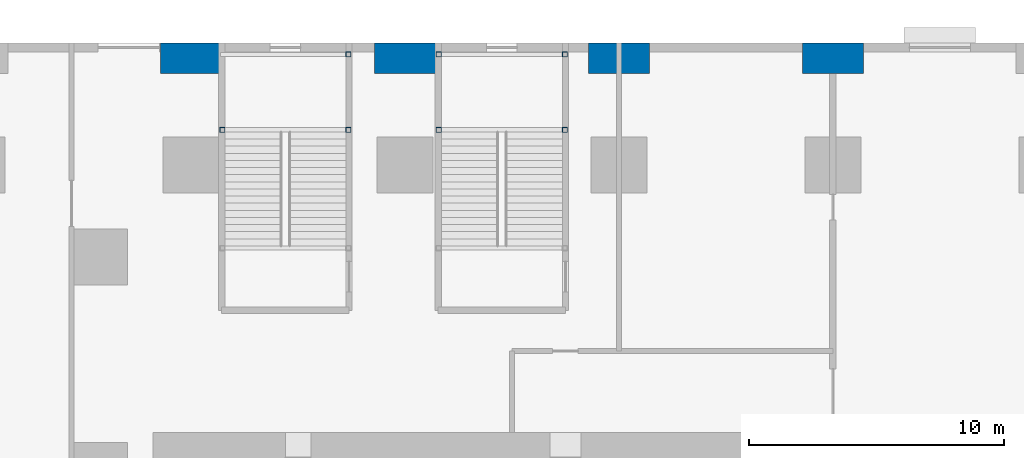
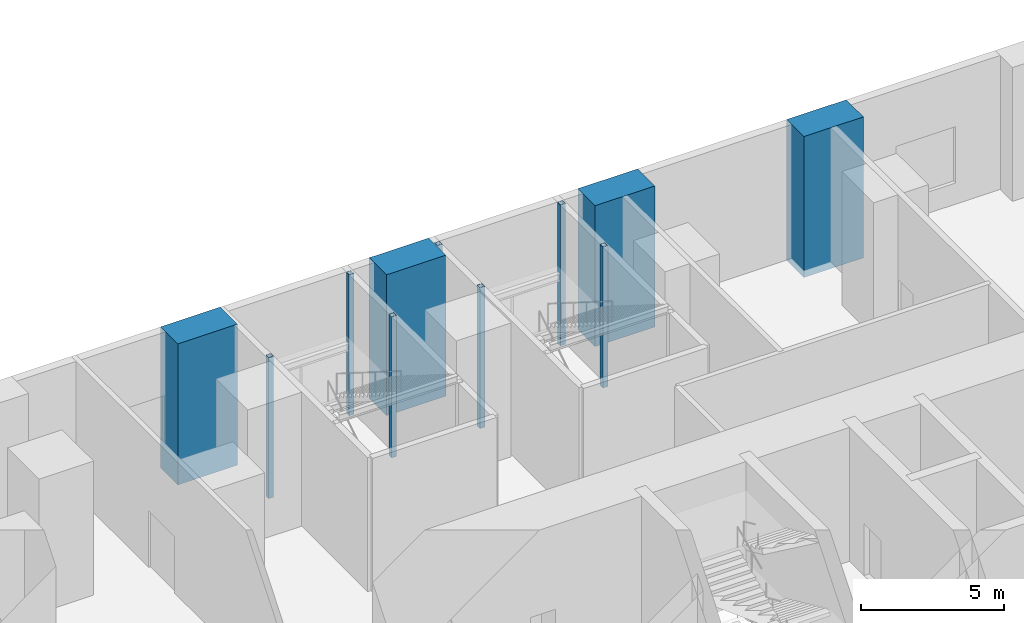
# One storey, part 13 of 26: 11 columns.
"""IFC4 building model written with IfcOpenShell, lengths in metres."""

from ifc_helpers import new_model, si_unit, direction, frame, origin, origin_2d, place, context, subcontext, project, spatial, rectangle, hollow_rectangle, extrude, material, material_profile, profile_set, type_object, element, save


model = new_model("IFC4")

# Units and contexts
model_context = context("Model", 3, precision=1e-05, world=origin(), true_north=direction((0.0, 1.0)))
body_context = subcontext(model_context, "Body", "Model", "MODEL_VIEW")
ifc_project = project(units=[si_unit("LENGTHUNIT", "METRE"), si_unit("AREAUNIT", "SQUARE_METRE"), si_unit("VOLUMEUNIT", "CUBIC_METRE"), si_unit("PLANEANGLEUNIT", "RADIAN"), si_unit("MASSUNIT", "GRAM", prefix="KILO")], contexts=[model_context])

# Site, building, storey
site_placement = place(None, origin())
site = spatial("IfcSite", under=ifc_project, at=site_placement, CompositionType="ELEMENT")
building_placement = place(site_placement, origin())
building = spatial("IfcBuilding", under=site, at=building_placement, Name="Dunama Terrace Hotel", CompositionType="ELEMENT")
storey_placement = place(building_placement, origin())
storey = spatial("IfcBuildingStorey", under=building, at=storey_placement, Name="L00", CompositionType="ELEMENT", Elevation=0.0)

# Columns
ifc_material_1 = material(Name="Concrete C60/75", Category="concrete")
ifc_material_profile_1 = material_profile(ifc_material_1, rectangle(XDim=2.39990234375, YDim=1.199951171875, at=origin_2d()), Name="RC 2400x1200")
ifc_profile_set_1 = profile_set([ifc_material_profile_1], Name="Concrete C60/75")
column_type_1 = type_object("IfcColumnType", Name="Column RC 2400x1200", PredefinedType="COLUMN", material=ifc_profile_set_1)
for number, where, z_axis, x_axis, name in (
    (1, (16.800048828125, 58.199951171875, -0.300048828125), (0.0, 0.0, 1.0), (1.0, 0.0, 0.0), "Column L00 +16.8/+58.2"),
    (2, (25.199951171875, 58.199951171875, -0.300048828125), (0.0, 0.0, 1.0), (1.0, 0.0, 0.0), "Column L00 +25.2/+58.2"),
    (3, (33.60009765625, 58.199951171875, -0.300048828125), (0.0, 0.0, 1.0), (1.0, 0.0, 0.0), "Column L00 +33.6/+58.2"),
    (4, (42.0, 58.199951171875, -0.300048828125), (0.0, 0.0, 1.0), (1.0, 0.0, 0.0), "Column L00 +42.0/+58.2"),
):
    element("IfcColumn", number, at=place(storey_placement, frame(where, z_axis=z_axis, x_axis=x_axis)), inside=storey, type_object=column_type_1, Name=name, PredefinedType="COLUMN", context=body_context, shape_type="SweptSolid", body=[
        extrude(rectangle(XDim=2.39990234375, YDim=1.199951171875, at=origin_2d()), origin(), (0.0, 0.0, 1.0), 6.0),
    ])
ifc_material_2 = material(Name="Steel S355", Category="steel")
ifc_material_profile_2 = material_profile(ifc_material_2, hollow_rectangle(XDim=0.199951171875, YDim=0.199951171875, WallThickness=0.010009765625, at=origin_2d()), Name="SHS 200x200x10")
ifc_profile_set_2 = profile_set([ifc_material_profile_2], Name="Steel S355")
column_type_2 = type_object("IfcColumnType", Name="Stair post SHS 200x200x10", PredefinedType="COLUMN", material=ifc_profile_set_2)
for number, where, z_axis, x_axis, name in (
    (5, (18.02490234375, 55.387451171875, -0.300048828125), (0.0, 0.0, 1.0), (1.0, 0.0, 0.0), "Stair post P5 L00 +18.02/+55.39"),
    (6, (22.97509765625, 55.387451171875, -0.300048828125), (0.0, 0.0, 1.0), (1.0, 0.0, 0.0), "Stair post P5 L00 +22.98/+55.39"),
    (7, (22.97509765625, 58.35009765625, -0.300048828125), (0.0, 0.0, 1.0), (1.0, 0.0, 0.0), "Stair post P5 L00 +22.98/+58.35"),
    (8, (26.52490234375, 55.387451171875, -0.300048828125), (0.0, 0.0, 1.0), (1.0, 0.0, 0.0), "Stair post P6 L00 +26.52/+55.39"),
    (9, (31.47509765625, 55.387451171875, -0.300048828125), (0.0, 0.0, 1.0), (1.0, 0.0, 0.0), "Stair post P6 L00 +31.48/+55.39"),
    (10, (26.52490234375, 58.35009765625, -0.300048828125), (0.0, 0.0, 1.0), (1.0, 0.0, 0.0), "Stair post P6 L00 +26.52/+58.35"),
    (11, (31.47509765625, 58.35009765625, -0.300048828125), (0.0, 0.0, 1.0), (1.0, 0.0, 0.0), "Stair post P6 L00 +31.48/+58.35"),
):
    element("IfcColumn", number, at=place(storey_placement, frame(where, z_axis=z_axis, x_axis=x_axis)), inside=storey, type_object=column_type_2, Name=name, PredefinedType="COLUMN", context=body_context, shape_type="SweptSolid", body=[
        extrude(hollow_rectangle(XDim=0.199951171875, YDim=0.199951171875, WallThickness=0.010009765625, at=origin_2d()), origin(), (0.0, 0.0, 1.0), 6.0),
    ])

save(model, "model.ifc")
